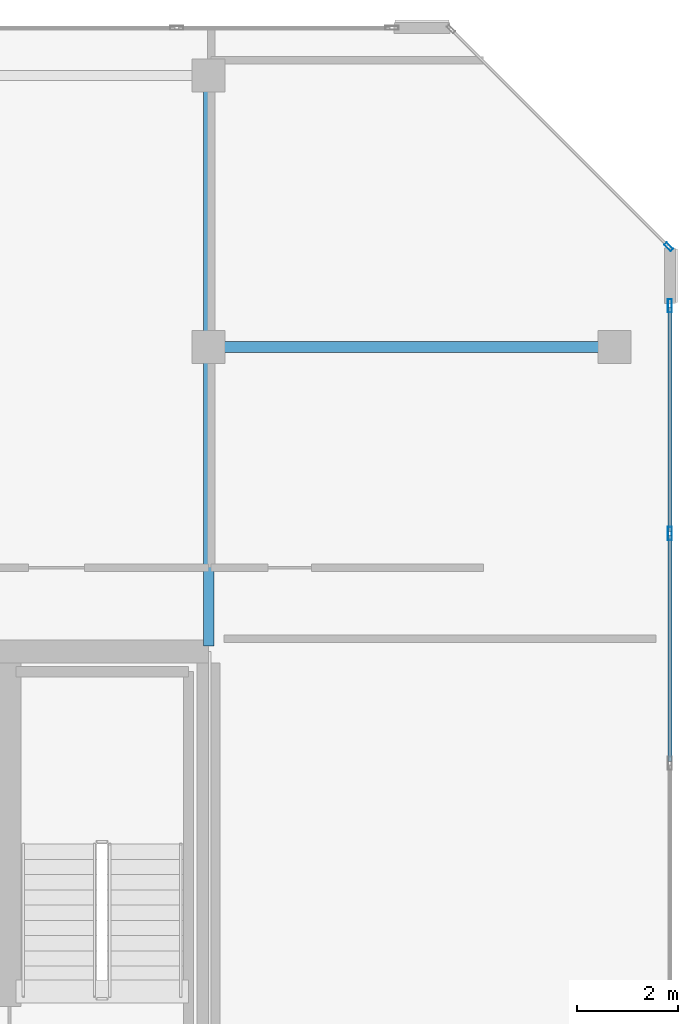
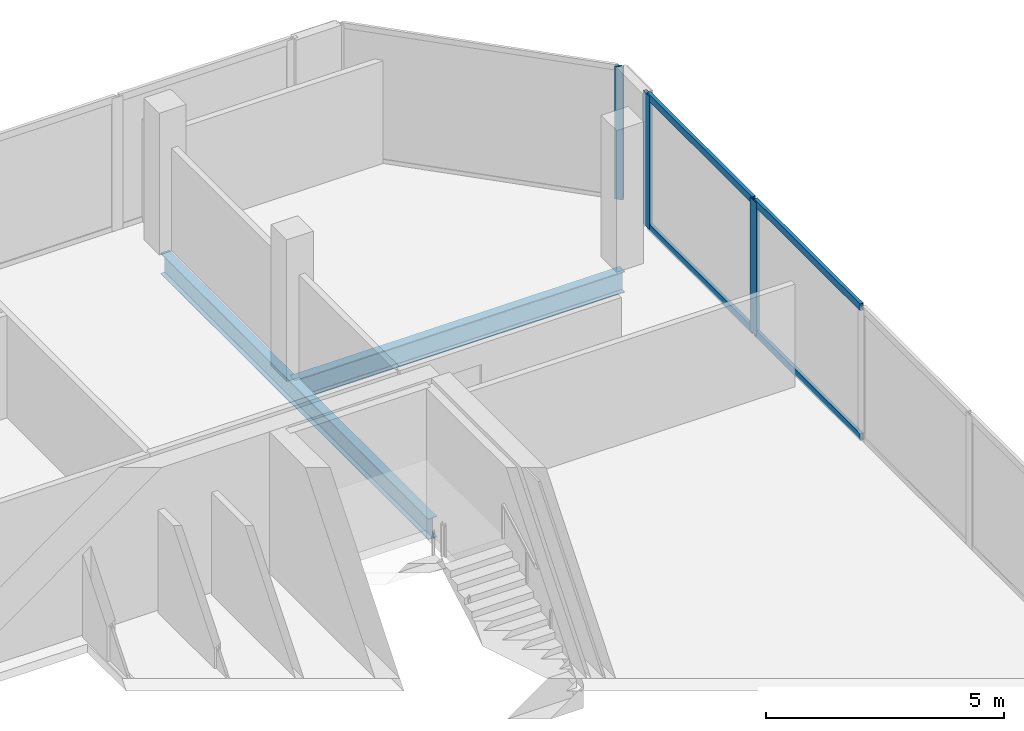
# One storey, part 19 of 28: 7 members, 2 beams, 2 elements without a shape of their own.
"""IFC4 building model written with IfcOpenShell, lengths in metres."""

import ifcopenshell
import ifcopenshell.guid

model = None  # the IFC model being written
_history = None  # IfcOwnerHistory: only IFC2X3 demands one
_inside = {}  # id of a spatial element -> (the spatial element, [elements in it])
_under = {}  # id of a project, library or spatial element -> (it, [spatial elements below it])
_declared = {}  # id of a project -> (the project, [libraries it declares])
_typed = {}  # id of a type object -> (the type object, [elements of that type])
_made_of = {}  # id of a material, layer set ... -> (it, [elements and type objects made of it])


def new_model(schema):
    """Start an empty IFC model of exactly this schema.

    Asked for "IFC4X3", IfcOpenShell would pick the latest addendum, in which some entities
    have other attributes; the version numbers below select the first issue.
    IFC2X3 requires an IfcOwnerHistory on every rooted entity: one is made here for all.
    """
    global model, _history
    if schema == "IFC4X3":
        model = ifcopenshell.file(schema_version=(4, 3, 0, 0))
    else:
        model = ifcopenshell.file(schema=schema)
    _inside.clear()
    _under.clear()
    _declared.clear()
    _typed.clear()
    _made_of.clear()
    _history = None
    if model.schema == "IFC2X3":
        org = make("IfcOrganization", Name="unknown")
        user = make(
            "IfcPersonAndOrganization",
            ThePerson=make("IfcPerson", FamilyName="unknown"),
            TheOrganization=org,
        )
        app = make(
            "IfcApplication",
            ApplicationDeveloper=org,
            Version="unknown",
            ApplicationFullName="unknown",
            ApplicationIdentifier="unknown",
        )
        _history = make(
            "IfcOwnerHistory",
            OwningUser=user,
            OwningApplication=app,
            ChangeAction="ADDED",
            CreationDate=0,
        )
    return model


def make(cls, **values):
    """One entity of the class cls with the attributes given. An attribute that is None is left unset."""
    return model.create_entity(
        cls, **{name: value for name, value in values.items() if value is not None}
    )


def rooted(cls, **values):
    """An entity with a GlobalId (a new one), such as an element, a storey or a relation."""
    return make(cls, GlobalId=ifcopenshell.guid.new(), OwnerHistory=_history, **values)


def si_unit(unit_type, name, prefix=None):
    """IfcSIUnit, for example si_unit("LENGTHUNIT", "METRE", prefix="MILLI")."""
    return make("IfcSIUnit", UnitType=unit_type, Prefix=prefix, Name=name)


def assignment(units):
    """IfcUnitAssignment: the units of a project."""
    return None if units is None else make("IfcUnitAssignment", Units=units)


def point(xyz):
    """IfcCartesianPoint."""
    return None if xyz is None else make("IfcCartesianPoint", Coordinates=xyz)


def direction(xyz):
    """IfcDirection."""
    return None if xyz is None else make("IfcDirection", DirectionRatios=xyz)


def frame(location, z_axis=None, x_axis=None):
    """IfcAxis2Placement3D, a coordinate frame: its origin and axes. An axis left out is left unset."""
    return make(
        "IfcAxis2Placement3D",
        Location=point(location),
        Axis=direction(z_axis),
        RefDirection=direction(x_axis),
    )


def frame_2d(location, x_axis=None):
    """IfcAxis2Placement2D, a coordinate frame in the plane: its origin and x axis."""
    return make(
        "IfcAxis2Placement2D", Location=point(location), RefDirection=direction(x_axis)
    )


def origin():
    """The frame at (0, 0, 0) with its axes left unset."""
    return frame((0.0, 0.0, 0.0))


def origin_2d():
    """The frame at (0, 0) in the plane with its x axis left unset."""
    return frame_2d((0.0, 0.0))


def place(relative_to, where):
    """IfcLocalPlacement: puts the frame where relative to a parent placement (None: the world)."""
    return make(
        "IfcLocalPlacement", PlacementRelTo=relative_to, RelativePlacement=where
    )


def context(
    kind, dimensions, precision=None, world=None, true_north=None, identifier=None
):
    """IfcGeometricRepresentationContext, for example the 3D "Model" context."""
    return make(
        "IfcGeometricRepresentationContext",
        ContextIdentifier=identifier,
        ContextType=kind,
        CoordinateSpaceDimension=dimensions,
        Precision=precision,
        WorldCoordinateSystem=world,
        TrueNorth=true_north,
    )


def subcontext(parent, identifier, kind, view, scale=None):
    """IfcGeometricRepresentationSubContext, for example "Body" below "Model"."""
    return make(
        "IfcGeometricRepresentationSubContext",
        ContextIdentifier=identifier,
        ContextType=kind,
        ParentContext=parent,
        TargetScale=scale,
        TargetView=view,
    )


def project(units=None, contexts=None):
    """IfcProject with its units and contexts."""
    return rooted(
        "IfcProject",
        Name="project",
        RepresentationContexts=contexts,
        UnitsInContext=assignment(units),
    )


def spatial(cls, under=None, at=None, **own):
    """A site, building, storey or space (cls), placed at a placement, below another one or the project."""
    s = rooted(cls, ObjectPlacement=at, **own)
    if under is not None:
        _under.setdefault(under.id(), (under, []))[1].append(s)
    return s


def profile(cls, at=None, kind="AREA", **sizes):
    """A parametric profile (cls). Its sizes go by their IFC names, for example OverallWidth=200.0."""
    return make(cls, ProfileType=kind, Position=at, **sizes)


def hollow_rectangle(**sizes):
    """IfcRectangleHollowProfileDef."""
    return profile("IfcRectangleHollowProfileDef", **sizes)


def i_section(**sizes):
    """IfcIShapeProfileDef."""
    return profile("IfcIShapeProfileDef", **sizes)


def extrude(swept, where, along, depth):
    """IfcExtrudedAreaSolid: the profile swept, set in the frame where, extruded along a direction by depth."""
    return make(
        "IfcExtrudedAreaSolid",
        SweptArea=swept,
        Position=where,
        ExtrudedDirection=direction(along),
        Depth=depth,
    )


def shape(context_of_items, identifier, shape_type, items):
    """IfcShapeRepresentation: the items that make up one representation, for example the "Body"."""
    return make(
        "IfcShapeRepresentation",
        ContextOfItems=context_of_items,
        RepresentationIdentifier=identifier,
        RepresentationType=shape_type,
        Items=items,
    )


def material(Name=None, Category=None):
    """IfcMaterial."""
    return make("IfcMaterial", Name=Name, Category=Category)


def layer(
    of_material, thickness, ventilated=None, Name=None, Category=None, Priority=None
):
    """IfcMaterialLayer: one layer of a wall or slab, of a material (None: an air gap)."""
    return make(
        "IfcMaterialLayer",
        Material=of_material,
        LayerThickness=thickness,
        IsVentilated=ventilated,
        Name=Name,
        Category=Category,
        Priority=Priority,
    )


def layer_set(layers, Name=None):
    """IfcMaterialLayerSet."""
    return make("IfcMaterialLayerSet", MaterialLayers=layers, LayerSetName=Name)


def material_profile(
    of_material, cross_section, Name=None, Category=None, Priority=None
):
    """IfcMaterialProfile: a cross section and its material."""
    return make(
        "IfcMaterialProfile",
        Name=Name,
        Material=of_material,
        Profile=cross_section,
        Priority=Priority,
        Category=Category,
    )


def profile_set(profiles, Name=None, composite=None):
    """IfcMaterialProfileSet."""
    return make(
        "IfcMaterialProfileSet",
        Name=Name,
        MaterialProfiles=profiles,
        CompositeProfile=composite,
    )


def made_of(thing, what):
    """Note that an element or type object is made of a material, layer set ...; save() writes the relation."""
    if what is not None:
        _made_of.setdefault(what.id(), (what, []))[1].append(thing)
    return thing


def type_object(cls, material=None, **own):
    """A type object (cls), such as IfcWallType, which elements share."""
    return made_of(rooted(cls, **own), material)


def element(
    cls,
    number,
    at=None,
    inside=None,
    cuts=None,
    type_object=None,
    material=None,
    context=None,
    identifier="Body",
    shape_type=None,
    held_by="IfcProductDefinitionShape",
    body=None,
    shapes=None,
    **own,
):
    """One element of the class cls, such as IfcWall. Its Tag is "e" and its number.

    at: its placement. inside: the storey or other place that contains it. cuts: it is an
    opening in that element (IfcRelVoidsElement). A single representation is given by context,
    identifier, shape_type and body (its items); several are given by shapes. held_by: the class
    of the entity that holds the representations. save() writes the other relations.
    """
    e = rooted(cls, Tag="e%d" % number, ObjectPlacement=at, **own)
    if body is not None:
        shapes = [shape(context, identifier, shape_type, body)]
    if shapes is not None:
        e.Representation = make(held_by, Representations=shapes)
    if inside is not None:
        _inside.setdefault(inside.id(), (inside, []))[1].append(e)
    if cuts is not None:
        rooted(
            "IfcRelVoidsElement", RelatingBuildingElement=cuts, RelatedOpeningElement=e
        )
    if type_object is not None:
        _typed.setdefault(type_object.id(), (type_object, []))[1].append(e)
    return made_of(e, material)


def aggregate(whole, parts):
    """IfcRelAggregates: a whole, such as a stair, and the parts it consists of."""
    return rooted("IfcRelAggregates", RelatingObject=whole, RelatedObjects=parts)


def save(model, path):
    """Write the relations noted so far, then the file.

    IfcRelAggregates (storeys below a building ...), IfcRelContainedInSpatialStructure (elements
    in a storey), IfcRelDefinesByType, IfcRelAssociatesMaterial and IfcRelDeclares: one each for
    every whole, place, type object, material and project.
    """
    for whole, parts in _under.values():
        aggregate(whole, parts)
    for where, things in _inside.values():
        rooted(
            "IfcRelContainedInSpatialStructure",
            RelatedElements=things,
            RelatingStructure=where,
        )
    for kind, things in _typed.values():
        rooted("IfcRelDefinesByType", RelatedObjects=things, RelatingType=kind)
    for what, things in _made_of.values():
        rooted("IfcRelAssociatesMaterial", RelatedObjects=things, RelatingMaterial=what)
    for by, libraries in _declared.values():
        rooted("IfcRelDeclares", RelatingContext=by, RelatedDefinitions=libraries)
    model.write(path)


model = new_model("IFC4")

# Units and contexts
model_context = context("Model", 3, precision=1e-05, world=origin(), true_north=direction((0.0, 1.0)))
body_context = subcontext(model_context, "Body", "Model", "MODEL_VIEW")
ifc_project = project(units=[si_unit("LENGTHUNIT", "METRE"), si_unit("AREAUNIT", "SQUARE_METRE"), si_unit("VOLUMEUNIT", "CUBIC_METRE"), si_unit("PLANEANGLEUNIT", "RADIAN"), si_unit("MASSUNIT", "GRAM", prefix="KILO")], contexts=[model_context])

# Site, building, storey
site_placement = place(None, origin())
site = spatial("IfcSite", under=ifc_project, at=site_placement, CompositionType="ELEMENT")
building_placement = place(site_placement, origin())
building = spatial("IfcBuilding", under=site, at=building_placement, Name="Tanjung Sevakor Pilgrim Tower", CompositionType="ELEMENT")
storey_placement = place(building_placement, frame((0.0, 0.0, 257.070068359375)))
storey = spatial("IfcBuildingStorey", under=building, at=storey_placement, Name="L72", CompositionType="ELEMENT", Elevation=257.070068359375)

# Beams
ifc_material_1 = material(Name="Steel S355J2", Category="steel")
ifc_material_profile_1 = material_profile(ifc_material_1, i_section(OverallWidth=0.2119140625, OverallDepth=0.54443359375, WebThickness=0.0126953125, FlangeThickness=0.021240234375, FilletRadius=0.0126953125, at=origin_2d()))
ifc_profile_set_1 = profile_set([ifc_material_profile_1], Name="Steel S355J2")
beam_type_1 = type_object("IfcBeamType", Name="BM-B-G5-UB_533x210x122", PredefinedType="BEAM", material=ifc_profile_set_1)
beam_1_placement = place(storey_placement, frame((90.0, 48.60009765625, -0.4921875), z_axis=(1.0, 0.0, 0.0), x_axis=(0.0, 1.0, 0.0)))
element("IfcBeam", 1, at=beam_1_placement, inside=storey, type_object=beam_type_1, Name="L72 East Peak Wing Girder Y48.6", PredefinedType="BEAM", context=body_context, shape_type="SweptSolid", body=[
    extrude(i_section(OverallWidth=0.2119140625, OverallDepth=0.54443359375, WebThickness=0.0126953125, FlangeThickness=0.021240234375, FilletRadius=0.0126953125, at=origin_2d()), origin(), (0.0, 0.0, 1.0), 8.0),
])
ifc_material_2 = material(Name="Steel S355J2", Category="steel")
ifc_material_profile_2 = material_profile(ifc_material_2, i_section(OverallWidth=0.210693359375, OverallDepth=0.53955078125, WebThickness=0.01171875, FlangeThickness=0.018798828125, FilletRadius=0.0126953125, at=origin_2d()))
ifc_profile_set_2 = profile_set([ifc_material_profile_2], Name="Steel S355J2")
beam_type_2 = type_object("IfcBeamType", Name="BM-B-G6-UB_533x210x109", PredefinedType="BEAM", material=ifc_profile_set_2)
beam_2_placement = place(storey_placement, frame((90.0, 42.7060546875, -0.48974609375), z_axis=(0.0, 1.0, 0.0), x_axis=(-1.0, 0.0, 0.0)))
element("IfcBeam", 2, at=beam_2_placement, inside=storey, type_object=beam_type_2, Name="L72 EAST Girder 010", PredefinedType="BEAM", context=body_context, shape_type="SweptSolid", body=[
    extrude(i_section(OverallWidth=0.210693359375, OverallDepth=0.53955078125, WebThickness=0.01171875, FlangeThickness=0.018798828125, FilletRadius=0.0126953125, at=origin_2d()), origin(), (0.0, 0.0, 1.0), 11.243896484375),
])

# Curtain wall, member
ifc_material_3 = material(Name="Aluminium 6063-T6 and Low-E Glass", Category="aluminium")
ifc_layer_1 = layer(ifc_material_3, 0.179931640625)
ifc_layer_set_1 = layer_set([ifc_layer_1], Name="CW-SYS-CHAM")
curtain_wall_type_1 = type_object("IfcCurtainWallType", Name="CW-SYS-CHAM", PredefinedType="NOTDEFINED", material=ifc_layer_set_1)
curtain_wall_1_placement = place(storey_placement, origin())
curtain_wall_1 = element("IfcCurtainWall", 3, at=curtain_wall_1_placement, inside=storey, type_object=curtain_wall_type_1, Name="L72 Curtain Wall CW-CHM-L72-EAST-3", PredefinedType="NOTDEFINED")
ifc_material_4 = material(Name="Aluminium 6063-T6", Category="aluminium")
ifc_material_profile_3 = material_profile(ifc_material_4, hollow_rectangle(XDim=0.06494140625, YDim=0.179931640625, WallThickness=0.00390625, at=origin_2d()))
ifc_profile_set_3 = profile_set([ifc_material_profile_3], Name="Aluminium 6063-T6")
member_type_1 = type_object("IfcMemberType", Name="TYPE-CWM-1", PredefinedType="MULLION", material=ifc_profile_set_3)
member_1_placement = place(storey_placement, frame((99.067138671875, 50.577392578125, 0.0), z_axis=(0.0, 0.0, 1.0), x_axis=(-0.707106781187, -0.707106781187, 0.0)))
member_1 = element("IfcMember", 4, at=member_1_placement, type_object=member_type_1, Name="CW-CHM mullion 1", PredefinedType="MULLION", context=body_context, shape_type="SweptSolid", body=[
    extrude(hollow_rectangle(XDim=0.06494140625, YDim=0.179931640625, WallThickness=0.00390625, at=origin_2d()), origin(), (0.0, 0.0, 1.0), 3.409912109375),
])
aggregate(curtain_wall_1, [member_1])

# Curtain wall, members
ifc_material_5 = material(Name="Aluminium 6063-T6 and Low-E Glass", Category="aluminium")
ifc_layer_2 = layer(ifc_material_5, 0.219970703125)
ifc_layer_set_2 = layer_set([ifc_layer_2], Name="CW-SYS-CRNE")
curtain_wall_type_2 = type_object("IfcCurtainWallType", Name="CW-SYS-CRNE", PredefinedType="NOTDEFINED", material=ifc_layer_set_2)
curtain_wall_2_placement = place(storey_placement, origin())
curtain_wall_2 = element("IfcCurtainWall", 5, at=curtain_wall_2_placement, inside=storey, type_object=curtain_wall_type_2, Name="L72 Curtain Wall CW-CRN-L72-EAST-2-1", PredefinedType="NOTDEFINED")
ifc_material_6 = material(Name="Aluminium 6063-T6", Category="aluminium")
ifc_material_profile_4 = material_profile(ifc_material_6, hollow_rectangle(XDim=0.080078125, YDim=0.260009765625, WallThickness=0.0048828125, at=origin_2d()))
ifc_profile_set_4 = profile_set([ifc_material_profile_4], Name="Aluminium 6063-T6")
member_type_2 = type_object("IfcMemberType", Name="TYPE-CWM-3", PredefinedType="MULLION", material=ifc_profile_set_4)
member_2_placement = place(storey_placement, frame((99.090087890625, 44.924560546875, 0.0), z_axis=(0.0, 0.0, 1.0), x_axis=(-1.0, 0.0, 0.0)))
member_2 = element("IfcMember", 6, at=member_2_placement, type_object=member_type_2, Name="CW-CRE mullion 7", PredefinedType="MULLION", context=body_context, shape_type="SweptSolid", body=[
    extrude(hollow_rectangle(XDim=0.080078125, YDim=0.260009765625, WallThickness=0.0048828125, at=origin_2d()), origin(), (0.0, 0.0, 1.0), 3.409912109375),
])
member_3_placement = place(storey_placement, frame((99.090087890625, 49.414306640625, 0.0), z_axis=(0.0, 0.0, 1.0), x_axis=(-1.0, 0.0, 0.0)))
member_3 = element("IfcMember", 7, at=member_3_placement, type_object=member_type_2, Name="CW-CRE mullion 8", PredefinedType="MULLION", context=body_context, shape_type="SweptSolid", body=[
    extrude(hollow_rectangle(XDim=0.080078125, YDim=0.260009765625, WallThickness=0.0048828125, at=origin_2d()), origin(), (0.0, 0.0, 1.0), 3.409912109375),
])
ifc_material_7 = material(Name="Aluminium 6063-T6", Category="aluminium")
ifc_material_profile_5 = material_profile(ifc_material_7, hollow_rectangle(XDim=0.080078125, YDim=0.179931640625, WallThickness=0.0048828125, at=origin_2d()))
ifc_profile_set_5 = profile_set([ifc_material_profile_5], Name="Aluminium 6063-T6")
member_type_3 = type_object("IfcMemberType", Name="TYPE-CWT-3", PredefinedType="USERDEFINED", material=ifc_profile_set_5)
member_4_placement = place(storey_placement, frame((99.090087890625, 40.434814453125, 0.0400390625), z_axis=(0.0, 1.0, 0.0), x_axis=(-1.0, 0.0, 0.0)))
member_4 = element("IfcMember", 8, at=member_4_placement, type_object=member_type_3, Name="CW-CRE transom 6.1", ObjectType="TRANSOM", PredefinedType="USERDEFINED", context=body_context, shape_type="SweptSolid", body=[
    extrude(hollow_rectangle(XDim=0.080078125, YDim=0.179931640625, WallThickness=0.0048828125, at=origin_2d()), origin(), (0.0, 0.0, 1.0), 4.44970703125),
])
member_5_placement = place(storey_placement, frame((99.090087890625, 40.434814453125, 3.369873046875), z_axis=(0.0, 1.0, 0.0), x_axis=(-1.0, 0.0, 0.0)))
member_5 = element("IfcMember", 9, at=member_5_placement, type_object=member_type_3, Name="CW-CRE transom 6.2", ObjectType="TRANSOM", PredefinedType="USERDEFINED", context=body_context, shape_type="SweptSolid", body=[
    extrude(hollow_rectangle(XDim=0.080078125, YDim=0.179931640625, WallThickness=0.0048828125, at=origin_2d()), origin(), (0.0, 0.0, 1.0), 4.44970703125),
])
member_6_placement = place(storey_placement, frame((99.090087890625, 44.964599609375, 0.0400390625), z_axis=(0.0, 1.0, 0.0), x_axis=(-1.0, 0.0, 0.0)))
member_6 = element("IfcMember", 10, at=member_6_placement, type_object=member_type_3, Name="CW-CRE transom 7.1", ObjectType="TRANSOM", PredefinedType="USERDEFINED", context=body_context, shape_type="SweptSolid", body=[
    extrude(hollow_rectangle(XDim=0.080078125, YDim=0.179931640625, WallThickness=0.0048828125, at=origin_2d()), origin(), (0.0, 0.0, 1.0), 4.409912109375),
])
member_7_placement = place(storey_placement, frame((99.090087890625, 44.964599609375, 3.369873046875), z_axis=(0.0, 1.0, 0.0), x_axis=(-1.0, 0.0, 0.0)))
member_7 = element("IfcMember", 11, at=member_7_placement, type_object=member_type_3, Name="CW-CRE transom 7.2", ObjectType="TRANSOM", PredefinedType="USERDEFINED", context=body_context, shape_type="SweptSolid", body=[
    extrude(hollow_rectangle(XDim=0.080078125, YDim=0.179931640625, WallThickness=0.0048828125, at=origin_2d()), origin(), (0.0, 0.0, 1.0), 4.409912109375),
])
aggregate(curtain_wall_2, [member_2, member_3, member_4, member_5, member_6, member_7])

save(model, "model.ifc")
